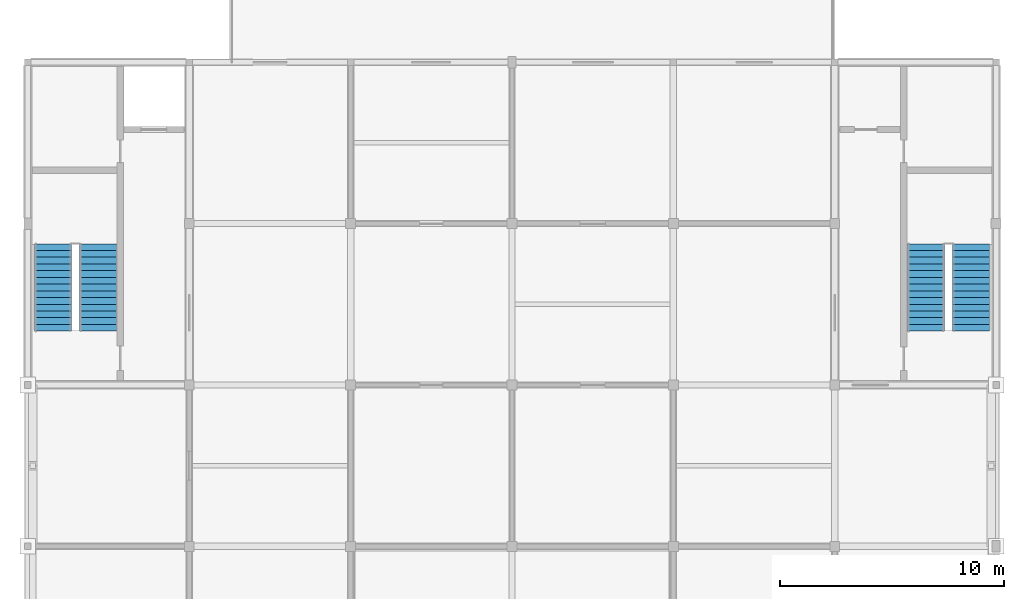
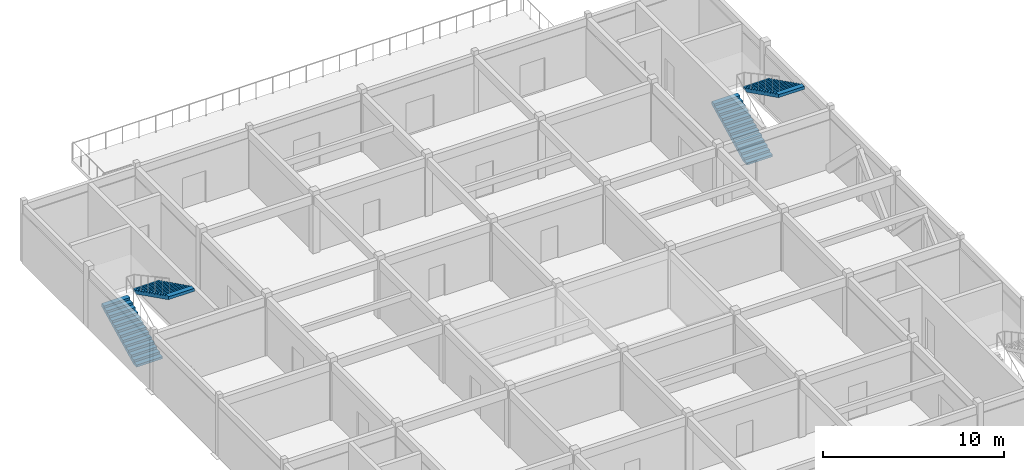
# One storey, part 5 of 6: 4 stair flights, 2 elements without a shape of their own.
"""IFC4 building model written with IfcOpenShell, lengths in metres."""

from ifc_helpers import new_model, si_unit, direction, frame, origin, place, context, subcontext, project, spatial, polyline, outline, extrude, material, type_object, element, aggregate, save


model = new_model("IFC4")

# Units and contexts
model_context = context("Model", 3, precision=1e-05, world=origin(), true_north=direction((0.0, 1.0)))
body_context = subcontext(model_context, "Body", "Model", "MODEL_VIEW")
ifc_project = project(units=[si_unit("LENGTHUNIT", "METRE"), si_unit("AREAUNIT", "SQUARE_METRE"), si_unit("VOLUMEUNIT", "CUBIC_METRE"), si_unit("PLANEANGLEUNIT", "RADIAN"), si_unit("MASSUNIT", "GRAM", prefix="KILO")], contexts=[model_context])

# Site, building, storey
site_placement = place(None, origin())
site = spatial("IfcSite", under=ifc_project, at=site_placement, CompositionType="ELEMENT")
building_placement = place(site_placement, origin())
building = spatial("IfcBuilding", under=site, at=building_placement, Name="Cendaluz Park School", CompositionType="ELEMENT")
storey_placement = place(building_placement, frame((0.0, 0.0, 63.0)))
storey = spatial("IfcBuildingStorey", under=building, at=storey_placement, Name="L15", CompositionType="ELEMENT", Elevation=63.0)

# Stair, stair flights
ifc_material = material(Name="Cross-laminated timber CLT C24", Category="wood")
stair_type = type_object("IfcStairType", Name="ST-420-165", PredefinedType="HALF_TURN_STAIR", material=ifc_material)
stair_1_placement = place(storey_placement, origin())
stair_1 = element("IfcStair", 1, at=stair_1_placement, inside=storey, type_object=stair_type, Name="ST-L15-C3", PredefinedType="HALF_TURN_STAIR")
stair_flight_type = type_object("IfcStairFlightType", Name="SF-14-150-165", PredefinedType="STRAIGHT", material=ifc_material)
stair_flight_1_placement = place(storey_placement, frame((65.9150390625, 45.60009765625, 0.0), z_axis=(0.0, 0.0, 1.0), x_axis=(0.0, 1.0, 0.0)))
stair_flight_1 = element("IfcStairFlight", 2, at=stair_flight_1_placement, type_object=stair_flight_type, Name="SF-L15-C3-1", NumberOfRisers=14, NumberOfTreads=13, PredefinedType="STRAIGHT", RiserHeight=0.15, TreadLength=0.3, context=body_context, shape_type="SweptSolid", body=[
    extrude(outline(polyline([(0.0, 0.0), (0.0, 0.14990234375), (0.300048828125, 0.14990234375), (0.300048828125, 0.300048828125), (0.60009765625, 0.300048828125), (0.60009765625, 0.449951171875), (0.89990234375, 0.449951171875), (0.89990234375, 0.60009765625), (1.199951171875, 0.60009765625), (1.199951171875, 0.75), (1.5, 0.75), (1.5, 0.89990234375), (1.800048828125, 0.89990234375), (1.800048828125, 1.050048828125), (2.10009765625, 1.050048828125), (2.10009765625, 1.199951171875), (2.39990234375, 1.199951171875), (2.39990234375, 1.35009765625), (2.699951171875, 1.35009765625), (2.699951171875, 1.5), (3.0, 1.5), (3.0, 1.64990234375), (3.300048828125, 1.64990234375), (3.300048828125, 1.800048828125), (3.60009765625, 1.800048828125), (3.60009765625, 1.949951171875), (3.89990234375, 1.949951171875), (3.89990234375, 2.10009765625), (3.89990234375, 1.748779296875), (0.40234375, 0.0), (0.0, 0.0)])), frame((0.0, 0.824951171875, 0.0), z_axis=(0.0, -1.0, 0.0), x_axis=(1.0, 0.0, 0.0)), (0.0, 0.0, 1.0), 1.64990234375),
])
stair_flight_2_placement = place(storey_placement, frame((67.93505859375, 49.5, 2.10009765625), z_axis=(0.0, 0.0, 1.0), x_axis=(0.0, -1.0, 0.0)))
stair_flight_2 = element("IfcStairFlight", 3, at=stair_flight_2_placement, type_object=stair_flight_type, Name="SF-L15-C3-2", NumberOfRisers=14, NumberOfTreads=13, PredefinedType="STRAIGHT", RiserHeight=0.15, TreadLength=0.3, context=body_context, shape_type="SweptSolid", body=[
    extrude(outline(polyline([(0.0, 0.0), (0.0, 0.14990234375), (0.300048828125, 0.14990234375), (0.300048828125, 0.300048828125), (0.60009765625, 0.300048828125), (0.60009765625, 0.449951171875), (0.89990234375, 0.449951171875), (0.89990234375, 0.60009765625), (1.199951171875, 0.60009765625), (1.199951171875, 0.75), (1.5, 0.75), (1.5, 0.89990234375), (1.800048828125, 0.89990234375), (1.800048828125, 1.050048828125), (2.10009765625, 1.050048828125), (2.10009765625, 1.199951171875), (2.39990234375, 1.199951171875), (2.39990234375, 1.35009765625), (2.699951171875, 1.35009765625), (2.699951171875, 1.5), (3.0, 1.5), (3.0, 1.64990234375), (3.300048828125, 1.64990234375), (3.300048828125, 1.800048828125), (3.60009765625, 1.800048828125), (3.60009765625, 1.949951171875), (3.89990234375, 1.949951171875), (3.89990234375, 2.10009765625), (3.89990234375, 1.748779296875), (0.40234375, 0.0), (0.0, 0.0)])), frame((0.0, 0.824951171875, 0.0), z_axis=(0.0, -1.0, 0.0), x_axis=(1.0, 0.0, 0.0)), (0.0, 0.0, 1.0), 1.64990234375),
])
aggregate(stair_1, [stair_flight_1, stair_flight_2])

stair_2_placement = place(storey_placement, origin())
stair_2 = element("IfcStair", 4, at=stair_2_placement, inside=storey, type_object=stair_type, Name="ST-L15-C4", PredefinedType="HALF_TURN_STAIR")
stair_flight_3_placement = place(storey_placement, frame((104.864990234375, 45.60009765625, 0.0), z_axis=(0.0, 0.0, 1.0), x_axis=(0.0, 1.0, 0.0)))
stair_flight_3 = element("IfcStairFlight", 5, at=stair_flight_3_placement, type_object=stair_flight_type, Name="SF-L15-C4-1", NumberOfRisers=14, NumberOfTreads=13, PredefinedType="STRAIGHT", RiserHeight=0.15, TreadLength=0.3, context=body_context, shape_type="SweptSolid", body=[
    extrude(outline(polyline([(0.0, 0.0), (0.0, 0.14990234375), (0.300048828125, 0.14990234375), (0.300048828125, 0.300048828125), (0.60009765625, 0.300048828125), (0.60009765625, 0.449951171875), (0.89990234375, 0.449951171875), (0.89990234375, 0.60009765625), (1.199951171875, 0.60009765625), (1.199951171875, 0.75), (1.5, 0.75), (1.5, 0.89990234375), (1.800048828125, 0.89990234375), (1.800048828125, 1.050048828125), (2.10009765625, 1.050048828125), (2.10009765625, 1.199951171875), (2.39990234375, 1.199951171875), (2.39990234375, 1.35009765625), (2.699951171875, 1.35009765625), (2.699951171875, 1.5), (3.0, 1.5), (3.0, 1.64990234375), (3.300048828125, 1.64990234375), (3.300048828125, 1.800048828125), (3.60009765625, 1.800048828125), (3.60009765625, 1.949951171875), (3.89990234375, 1.949951171875), (3.89990234375, 2.10009765625), (3.89990234375, 1.748779296875), (0.40234375, 0.0), (0.0, 0.0)])), frame((0.0, 0.824951171875, 0.0), z_axis=(0.0, -1.0, 0.0), x_axis=(1.0, 0.0, 0.0)), (0.0, 0.0, 1.0), 1.64990234375),
])
stair_flight_4_placement = place(storey_placement, frame((106.885009765625, 49.5, 2.10009765625), z_axis=(0.0, 0.0, 1.0), x_axis=(0.0, -1.0, 0.0)))
stair_flight_4 = element("IfcStairFlight", 6, at=stair_flight_4_placement, type_object=stair_flight_type, Name="SF-L15-C4-2", NumberOfRisers=14, NumberOfTreads=13, PredefinedType="STRAIGHT", RiserHeight=0.15, TreadLength=0.3, context=body_context, shape_type="SweptSolid", body=[
    extrude(outline(polyline([(0.0, 0.0), (0.0, 0.14990234375), (0.300048828125, 0.14990234375), (0.300048828125, 0.300048828125), (0.60009765625, 0.300048828125), (0.60009765625, 0.449951171875), (0.89990234375, 0.449951171875), (0.89990234375, 0.60009765625), (1.199951171875, 0.60009765625), (1.199951171875, 0.75), (1.5, 0.75), (1.5, 0.89990234375), (1.800048828125, 0.89990234375), (1.800048828125, 1.050048828125), (2.10009765625, 1.050048828125), (2.10009765625, 1.199951171875), (2.39990234375, 1.199951171875), (2.39990234375, 1.35009765625), (2.699951171875, 1.35009765625), (2.699951171875, 1.5), (3.0, 1.5), (3.0, 1.64990234375), (3.300048828125, 1.64990234375), (3.300048828125, 1.800048828125), (3.60009765625, 1.800048828125), (3.60009765625, 1.949951171875), (3.89990234375, 1.949951171875), (3.89990234375, 2.10009765625), (3.89990234375, 1.748779296875), (0.40234375, 0.0), (0.0, 0.0)])), frame((0.0, 0.824951171875, 0.0), z_axis=(0.0, -1.0, 0.0), x_axis=(1.0, 0.0, 0.0)), (0.0, 0.0, 1.0), 1.64990234375),
])
aggregate(stair_2, [stair_flight_3, stair_flight_4])

save(model, "model.ifc")
